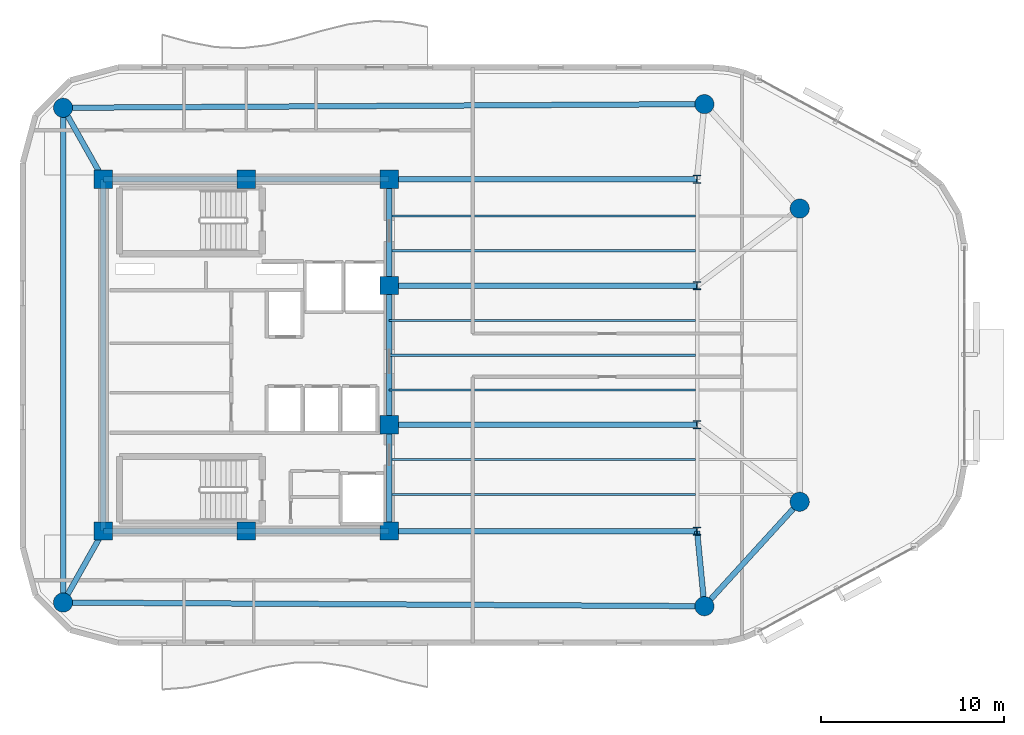
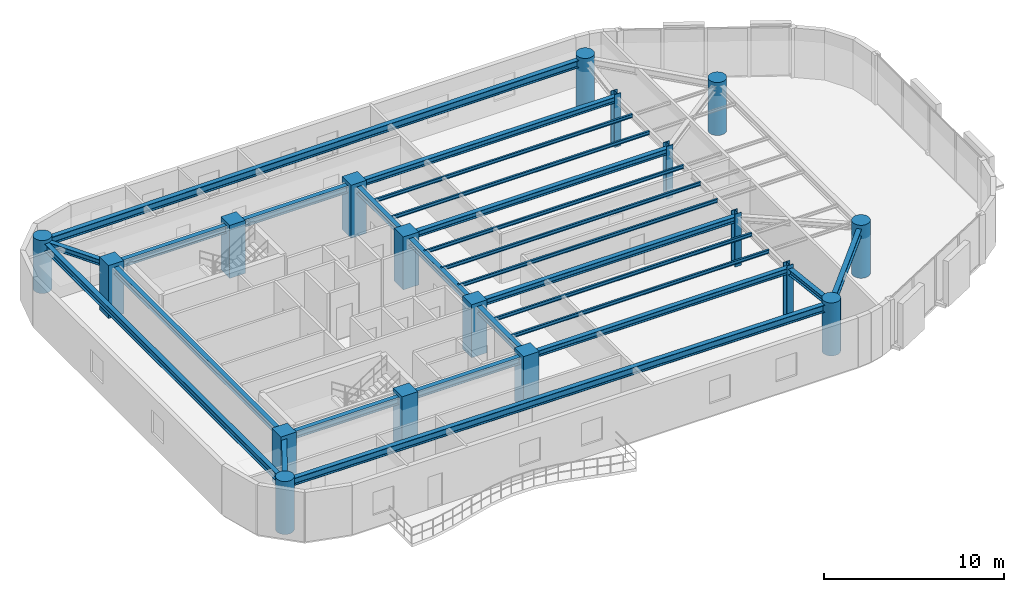
# One storey, part 1 of 13: 24 beams, 18 columns.
"""IFC4 building model written with IfcOpenShell, lengths in metres."""

from ifc_helpers import new_model, si_unit, direction, frame, origin, origin_2d, place, context, subcontext, project, spatial, rectangle, circle, i_section, extrude, material, material_profile, profile_set, type_object, element, save


model = new_model("IFC4")

# Units and contexts
model_context = context("Model", 3, precision=1e-05, world=origin(), true_north=direction((0.0, 1.0)))
body_context = subcontext(model_context, "Body", "Model", "MODEL_VIEW")
ifc_project = project(units=[si_unit("LENGTHUNIT", "METRE"), si_unit("AREAUNIT", "SQUARE_METRE"), si_unit("VOLUMEUNIT", "CUBIC_METRE"), si_unit("PLANEANGLEUNIT", "RADIAN"), si_unit("MASSUNIT", "GRAM", prefix="KILO")], contexts=[model_context])

# Site, building, storey
site_placement = place(None, origin())
site = spatial("IfcSite", under=ifc_project, at=site_placement, CompositionType="ELEMENT")
building_placement = place(site_placement, origin())
building = spatial("IfcBuilding", under=site, at=building_placement, Name="An Khanh Terracotta Commons", CompositionType="ELEMENT")
storey_placement = place(building_placement, frame((0.0, 0.0, 244.5)))
storey = spatial("IfcBuildingStorey", under=building, at=storey_placement, Name="L64", CompositionType="ELEMENT", Elevation=244.5)

# Columns
ifc_material_1 = material(Name="Concrete C60/75", Category="concrete")
ifc_material_profile_1 = material_profile(ifc_material_1, circle(Radius=0.52490234375, at=origin_2d()), Name="CFST1050")
ifc_profile_set_1 = profile_set([ifc_material_profile_1], Name="Concrete C60/75")
column_type_1 = type_object("IfcColumnType", Name="COL-CFST1050", PredefinedType="COLUMN", material=ifc_profile_set_1)
for number, where, z_axis, x_axis, name in (
    (1, (19.39990234375, 10.5, 0.0), (0.0, 0.0, 1.0), (1.0, 0.0, 0.0), "L64 Perimeter CFST Mega-Column MC-01"),
    (2, (54.39990234375, 10.300048828125, 0.0), (0.0, 0.0, 1.0), (1.0, 0.0, 0.0), "L64 Perimeter CFST Mega-Column MC-02"),
    (3, (59.60009765625, 16.0, 0.0), (0.0, 0.0, 1.0), (1.0, 0.0, 0.0), "L64 Perimeter CFST Mega-Column MC-03"),
    (4, (59.60009765625, 32.0, 0.0), (0.0, 0.0, 1.0), (1.0, 0.0, 0.0), "L64 Perimeter CFST Mega-Column MC-04"),
    (5, (54.39990234375, 37.699951171875, 0.0), (0.0, 0.0, 1.0), (1.0, 0.0, 0.0), "L64 Perimeter CFST Mega-Column MC-05"),
    (6, (19.39990234375, 37.5, 0.0), (0.0, 0.0, 1.0), (1.0, 0.0, 0.0), "L64 Perimeter CFST Mega-Column MC-06"),
):
    element("IfcColumn", number, at=place(storey_placement, frame(where, z_axis=z_axis, x_axis=x_axis)), inside=storey, type_object=column_type_1, Name=name, PredefinedType="COLUMN", context=body_context, shape_type="SweptSolid", body=[
        extrude(circle(Radius=0.52490234375, at=origin_2d()), origin(), (0.0, 0.0, 1.0), 3.60009765625),
    ])
ifc_material_2 = material(Name="Steel S460ML", Category="steel")
ifc_material_profile_2 = material_profile(ifc_material_2, i_section(OverallWidth=0.406005859375, OverallDepth=0.43994140625, WebThickness=0.02392578125, FlangeThickness=0.0390625, FilletRadius=0.014892578125, at=origin_2d()), Name="HD400x314")
ifc_profile_set_2 = profile_set([ifc_material_profile_2], Name="Steel S460ML")
column_type_2 = type_object("IfcColumnType", Name="COL-HD400x314", PredefinedType="COLUMN", material=ifc_profile_set_2)
for number, where, z_axis, x_axis, name in (
    (7, (54.0, 14.39990234375, 0.0), (0.0, 0.0, 1.0), (1.0, 0.0, 0.0), "L64 Interior Frame Column TC-01"),
    (8, (54.0, 20.199951171875, 0.0), (0.0, 0.0, 1.0), (1.0, 0.0, 0.0), "L64 Interior Frame Column TC-02"),
    (9, (54.0, 27.800048828125, 0.0), (0.0, 0.0, 1.0), (1.0, 0.0, 0.0), "L64 Interior Frame Column TC-03"),
    (10, (54.0, 33.60009765625, 0.0), (0.0, 0.0, 1.0), (1.0, 0.0, 0.0), "L64 Interior Frame Column TC-04"),
):
    element("IfcColumn", number, at=place(storey_placement, frame(where, z_axis=z_axis, x_axis=x_axis)), inside=storey, type_object=column_type_2, Name=name, PredefinedType="COLUMN", context=body_context, shape_type="SweptSolid", body=[
        extrude(i_section(OverallWidth=0.406005859375, OverallDepth=0.43994140625, WebThickness=0.02392578125, FlangeThickness=0.0390625, FilletRadius=0.014892578125, at=origin_2d()), origin(), (0.0, 0.0, 1.0), 3.60009765625),
    ])
ifc_material_profile_3 = material_profile(ifc_material_1, rectangle(XDim=1.0, YDim=1.0, at=origin_2d()), Name="RC1000x1000")
ifc_profile_set_3 = profile_set([ifc_material_profile_3], Name="Concrete C60/75")
column_type_3 = type_object("IfcColumnType", Name="COL-RC1000x1000", PredefinedType="COLUMN", material=ifc_profile_set_3)
for number, where, z_axis, x_axis, name in (
    (11, (21.60009765625, 14.39990234375, 0.0), (0.0, 0.0, 1.0), (1.0, 0.0, 0.0), "L64 Core Boundary Column CC-01"),
    (12, (29.39990234375, 14.39990234375, 0.0), (0.0, 0.0, 1.0), (1.0, 0.0, 0.0), "L64 Core Boundary Column CC-02"),
    (13, (37.199951171875, 14.39990234375, 0.0), (0.0, 0.0, 1.0), (1.0, 0.0, 0.0), "L64 Core Boundary Column CC-03"),
    (14, (37.199951171875, 20.199951171875, 0.0), (0.0, 0.0, 1.0), (1.0, 0.0, 0.0), "L64 Core Boundary Column CC-04"),
    (15, (37.199951171875, 27.800048828125, 0.0), (0.0, 0.0, 1.0), (1.0, 0.0, 0.0), "L64 Core Boundary Column CC-05"),
    (16, (37.199951171875, 33.60009765625, 0.0), (0.0, 0.0, 1.0), (1.0, 0.0, 0.0), "L64 Core Boundary Column CC-06"),
    (17, (29.39990234375, 33.60009765625, 0.0), (0.0, 0.0, 1.0), (1.0, 0.0, 0.0), "L64 Core Boundary Column CC-07"),
    (18, (21.60009765625, 33.60009765625, 0.0), (0.0, 0.0, 1.0), (1.0, 0.0, 0.0), "L64 Core Boundary Column CC-08"),
):
    element("IfcColumn", number, at=place(storey_placement, frame(where, z_axis=z_axis, x_axis=x_axis)), inside=storey, type_object=column_type_3, Name=name, PredefinedType="COLUMN", context=body_context, shape_type="SweptSolid", body=[
        extrude(rectangle(XDim=1.0, YDim=1.0, at=origin_2d()), origin(), (0.0, 0.0, 1.0), 3.60009765625),
    ])

# Beams
ifc_material_3 = material(Name="Steel S355J2", Category="steel")
ifc_material_profile_4 = material_profile(ifc_material_3, i_section(OverallWidth=0.300048828125, OverallDepth=0.39990234375, WebThickness=0.013427734375, FlangeThickness=0.02392578125, FilletRadius=0.027099609375, at=origin_2d()), Name="HEB400")
ifc_profile_set_4 = profile_set([ifc_material_profile_4], Name="Steel S355J2")
beam_type_1 = type_object("IfcBeamType", Name="BM-HEB400", PredefinedType="BEAM", material=ifc_profile_set_4)
for number, where, z_axis, x_axis, name in (
    (19, (37.199951171875, 14.39990234375, 3.159912109375), (1.0, 0.0, 0.0), (0.0, 1.0, 0.0), "L64 East Primary Floor Girder 1"),
    (20, (37.199951171875, 20.199951171875, 3.159912109375), (1.0, 0.0, 0.0), (0.0, 1.0, 0.0), "L64 East Primary Floor Girder 2"),
    (21, (37.199951171875, 27.800048828125, 3.159912109375), (1.0, 0.0, 0.0), (0.0, 1.0, 0.0), "L64 East Primary Floor Girder 3"),
    (22, (37.199951171875, 33.60009765625, 3.159912109375), (1.0, 0.0, 0.0), (0.0, 1.0, 0.0), "L64 East Primary Floor Girder 4"),
):
    element("IfcBeam", number, at=place(storey_placement, frame(where, z_axis=z_axis, x_axis=x_axis)), inside=storey, type_object=beam_type_1, Name=name, PredefinedType="BEAM", context=body_context, shape_type="SweptSolid", body=[
        extrude(i_section(OverallWidth=0.300048828125, OverallDepth=0.39990234375, WebThickness=0.013427734375, FlangeThickness=0.02392578125, FilletRadius=0.027099609375, at=origin_2d()), origin(), (0.0, 0.0, 1.0), 16.800048828125),
    ])
beam_1_placement = place(storey_placement, frame((19.39990234375, 10.5, 3.159912109375), z_axis=(0.491363608436, 0.870954536302, 0.0), x_axis=(-0.870954536302, 0.491363608436, 0.0)))
element("IfcBeam", 23, at=beam_1_placement, inside=storey, type_object=beam_type_1, Name="L64 Mega-Column Tie Girder 1", PredefinedType="BEAM", context=body_context, shape_type="SweptSolid", body=[
    extrude(i_section(OverallWidth=0.300048828125, OverallDepth=0.39990234375, WebThickness=0.013427734375, FlangeThickness=0.02392578125, FilletRadius=0.027099609375, at=origin_2d()), origin(), (0.0, 0.0, 1.0), 4.477783203125),
])
beam_2_placement = place(storey_placement, frame((54.39990234375, 10.300048828125, 3.159912109375), z_axis=(-0.097079917443, 0.995276589511, 0.0), x_axis=(-0.995276589511, -0.097079917443, 0.0)))
element("IfcBeam", 24, at=beam_2_placement, inside=storey, type_object=beam_type_1, Name="L64 Mega-Column Tie Girder 2", PredefinedType="BEAM", context=body_context, shape_type="SweptSolid", body=[
    extrude(i_section(OverallWidth=0.300048828125, OverallDepth=0.39990234375, WebThickness=0.013427734375, FlangeThickness=0.02392578125, FilletRadius=0.027099609375, at=origin_2d()), origin(), (0.0, 0.0, 1.0), 4.119384765625),
])
beam_3_placement = place(storey_placement, frame((19.39990234375, 37.5, 3.159912109375), z_axis=(0.491363608436, -0.870954536302, 0.0), x_axis=(0.870954536302, 0.491363608436, 0.0)))
element("IfcBeam", 25, at=beam_3_placement, inside=storey, type_object=beam_type_1, Name="L64 Mega-Column Tie Girder 6", PredefinedType="BEAM", context=body_context, shape_type="SweptSolid", body=[
    extrude(i_section(OverallWidth=0.300048828125, OverallDepth=0.39990234375, WebThickness=0.013427734375, FlangeThickness=0.02392578125, FilletRadius=0.027099609375, at=origin_2d()), origin(), (0.0, 0.0, 1.0), 4.477783203125),
])
ifc_material_profile_5 = material_profile(ifc_material_3, i_section(OverallWidth=0.300048828125, OverallDepth=0.449951171875, WebThickness=0.013916015625, FlangeThickness=0.02587890625, FilletRadius=0.027099609375, at=origin_2d()), Name="HEB450")
ifc_profile_set_5 = profile_set([ifc_material_profile_5], Name="Steel S355J2")
beam_type_2 = type_object("IfcBeamType", Name="BM-HEB450", PredefinedType="BEAM", material=ifc_profile_set_5)
beam_4_placement = place(storey_placement, frame((37.199951171875, 14.39990234375, 3.135009765625), z_axis=(0.0, 1.0, 0.0), x_axis=(-1.0, 0.0, 0.0)))
element("IfcBeam", 26, at=beam_4_placement, inside=storey, type_object=beam_type_2, Name="L64 Core East Coupling Girder 1", PredefinedType="BEAM", context=body_context, shape_type="SweptSolid", body=[
    extrude(i_section(OverallWidth=0.300048828125, OverallDepth=0.449951171875, WebThickness=0.013916015625, FlangeThickness=0.02587890625, FilletRadius=0.027099609375, at=origin_2d()), origin(), (0.0, 0.0, 1.0), 5.800048828125),
])
beam_5_placement = place(storey_placement, frame((37.199951171875, 20.199951171875, 3.135009765625), z_axis=(0.0, 1.0, 0.0), x_axis=(-1.0, 0.0, 0.0)))
element("IfcBeam", 27, at=beam_5_placement, inside=storey, type_object=beam_type_2, Name="L64 Core East Coupling Girder 2", PredefinedType="BEAM", context=body_context, shape_type="SweptSolid", body=[
    extrude(i_section(OverallWidth=0.300048828125, OverallDepth=0.449951171875, WebThickness=0.013916015625, FlangeThickness=0.02587890625, FilletRadius=0.027099609375, at=origin_2d()), origin(), (0.0, 0.0, 1.0), 7.60009765625),
])
beam_6_placement = place(storey_placement, frame((37.199951171875, 27.800048828125, 3.135009765625), z_axis=(0.0, 1.0, 0.0), x_axis=(-1.0, 0.0, 0.0)))
element("IfcBeam", 28, at=beam_6_placement, inside=storey, type_object=beam_type_2, Name="L64 Core East Coupling Girder 3", PredefinedType="BEAM", context=body_context, shape_type="SweptSolid", body=[
    extrude(i_section(OverallWidth=0.300048828125, OverallDepth=0.449951171875, WebThickness=0.013916015625, FlangeThickness=0.02587890625, FilletRadius=0.027099609375, at=origin_2d()), origin(), (0.0, 0.0, 1.0), 5.800048828125),
])
beam_7_placement = place(storey_placement, frame((21.60009765625, 14.39990234375, 3.135009765625), z_axis=(0.0, 1.0, 0.0), x_axis=(-1.0, 0.0, 0.0)))
element("IfcBeam", 29, at=beam_7_placement, inside=storey, type_object=beam_type_2, Name="L64 Core West Coupling Girder", PredefinedType="BEAM", context=body_context, shape_type="SweptSolid", body=[
    extrude(i_section(OverallWidth=0.300048828125, OverallDepth=0.449951171875, WebThickness=0.013916015625, FlangeThickness=0.02587890625, FilletRadius=0.027099609375, at=origin_2d()), origin(), (0.0, 0.0, 1.0), 19.2001953125),
])
ifc_material_profile_6 = material_profile(ifc_material_3, i_section(OverallWidth=0.300048828125, OverallDepth=0.5, WebThickness=0.014404296875, FlangeThickness=0.028076171875, FilletRadius=0.027099609375, at=origin_2d()), Name="HEB500")
ifc_profile_set_6 = profile_set([ifc_material_profile_6], Name="Steel S355J2")
beam_type_3 = type_object("IfcBeamType", Name="BM-HEB500", PredefinedType="BEAM", material=ifc_profile_set_6)
for number, where, z_axis, x_axis, name in (
    (30, (21.60009765625, 14.39990234375, 3.110107421875), (1.0, 0.0, 0.0), (0.0, 1.0, 0.0), "L64 Core South Coupling Girder"),
    (31, (21.60009765625, 33.60009765625, 3.110107421875), (1.0, 0.0, 0.0), (0.0, 1.0, 0.0), "L64 Core North Coupling Girder"),
):
    element("IfcBeam", number, at=place(storey_placement, frame(where, z_axis=z_axis, x_axis=x_axis)), inside=storey, type_object=beam_type_3, Name=name, PredefinedType="BEAM", context=body_context, shape_type="SweptSolid", body=[
        extrude(i_section(OverallWidth=0.300048828125, OverallDepth=0.5, WebThickness=0.014404296875, FlangeThickness=0.028076171875, FilletRadius=0.027099609375, at=origin_2d()), origin(), (0.0, 0.0, 1.0), 15.599853515625),
    ])
beam_8_placement = place(storey_placement, frame((19.39990234375, 10.5, 3.110107421875), z_axis=(0.99998368184, -0.005712797401, 0.0), x_axis=(0.005712797401, 0.99998368184, 0.0)))
element("IfcBeam", 32, at=beam_8_placement, inside=storey, type_object=beam_type_3, Name="L64 Perimeter Ring Spandrel 1", PredefinedType="BEAM", context=body_context, shape_type="SweptSolid", body=[
    extrude(i_section(OverallWidth=0.300048828125, OverallDepth=0.5, WebThickness=0.014404296875, FlangeThickness=0.028076171875, FilletRadius=0.027099609375, at=origin_2d()), origin(), (0.0, 0.0, 1.0), 35.00048828125),
])
beam_9_placement = place(storey_placement, frame((54.39990234375, 10.300048828125, 3.110107421875), z_axis=(0.673978953902, 0.738750546326, 0.0), x_axis=(-0.738750546326, 0.673978953902, 0.0)))
element("IfcBeam", 33, at=beam_9_placement, inside=storey, type_object=beam_type_3, Name="L64 Perimeter Ring Spandrel 2", PredefinedType="BEAM", context=body_context, shape_type="SweptSolid", body=[
    extrude(i_section(OverallWidth=0.300048828125, OverallDepth=0.5, WebThickness=0.014404296875, FlangeThickness=0.028076171875, FilletRadius=0.027099609375, at=origin_2d()), origin(), (0.0, 0.0, 1.0), 7.715576171875),
])
beam_10_placement = place(storey_placement, frame((54.39990234375, 37.699951171875, 3.110107421875), z_axis=(-0.99998368184, -0.005712797401, 0.0), x_axis=(0.005712797401, -0.99998368184, 0.0)))
element("IfcBeam", 34, at=beam_10_placement, inside=storey, type_object=beam_type_3, Name="L64 Perimeter Ring Spandrel 5", PredefinedType="BEAM", context=body_context, shape_type="SweptSolid", body=[
    extrude(i_section(OverallWidth=0.300048828125, OverallDepth=0.5, WebThickness=0.014404296875, FlangeThickness=0.028076171875, FilletRadius=0.027099609375, at=origin_2d()), origin(), (0.0, 0.0, 1.0), 35.00048828125),
])
beam_11_placement = place(storey_placement, frame((19.39990234375, 37.5, 3.110107421875), z_axis=(0.0, -1.0, 0.0), x_axis=(1.0, 0.0, 0.0)))
element("IfcBeam", 35, at=beam_11_placement, inside=storey, type_object=beam_type_3, Name="L64 Perimeter Ring Spandrel 6", PredefinedType="BEAM", context=body_context, shape_type="SweptSolid", body=[
    extrude(i_section(OverallWidth=0.300048828125, OverallDepth=0.5, WebThickness=0.014404296875, FlangeThickness=0.028076171875, FilletRadius=0.027099609375, at=origin_2d()), origin(), (0.0, 0.0, 1.0), 27.0),
])
ifc_material_profile_7 = material_profile(ifc_material_3, i_section(OverallWidth=0.1201171875, OverallDepth=0.239990234375, WebThickness=0.006103515625, FlangeThickness=0.009765625, FilletRadius=0.014892578125, at=origin_2d()), Name="IPE240")
ifc_profile_set_7 = profile_set([ifc_material_profile_7], Name="Steel S355J2")
beam_type_4 = type_object("IfcBeamType", Name="BM-IPE240", PredefinedType="JOIST", material=ifc_profile_set_7)
for number, where, z_axis, x_axis, name in (
    (36, (37.199951171875, 16.39990234375, 3.239990234375), (1.0, 0.0, 0.0), (0.0, 1.0, 0.0), "L64 Inboard Composite Joist 1"),
    (37, (37.199951171875, 18.300048828125, 3.239990234375), (1.0, 0.0, 0.0), (0.0, 1.0, 0.0), "L64 Inboard Composite Joist 2"),
    (38, (37.199951171875, 22.10009765625, 3.239990234375), (1.0, 0.0, 0.0), (0.0, 1.0, 0.0), "L64 Inboard Composite Joist 3"),
    (39, (37.199951171875, 24.0, 3.239990234375), (1.0, 0.0, 0.0), (0.0, 1.0, 0.0), "L64 Inboard Composite Joist 4"),
    (40, (37.199951171875, 25.89990234375, 3.239990234375), (1.0, 0.0, 0.0), (0.0, 1.0, 0.0), "L64 Inboard Composite Joist 5"),
    (41, (37.199951171875, 29.699951171875, 3.239990234375), (1.0, 0.0, 0.0), (0.0, 1.0, 0.0), "L64 Inboard Composite Joist 6"),
    (42, (37.199951171875, 31.60009765625, 3.239990234375), (1.0, 0.0, 0.0), (0.0, 1.0, 0.0), "L64 Inboard Composite Joist 7"),
):
    element("IfcBeam", number, at=place(storey_placement, frame(where, z_axis=z_axis, x_axis=x_axis)), inside=storey, type_object=beam_type_4, Name=name, PredefinedType="JOIST", context=body_context, shape_type="SweptSolid", body=[
        extrude(i_section(OverallWidth=0.1201171875, OverallDepth=0.239990234375, WebThickness=0.006103515625, FlangeThickness=0.009765625, FilletRadius=0.014892578125, at=origin_2d()), origin(), (0.0, 0.0, 1.0), 16.705078125),
    ])

save(model, "model.ifc")
